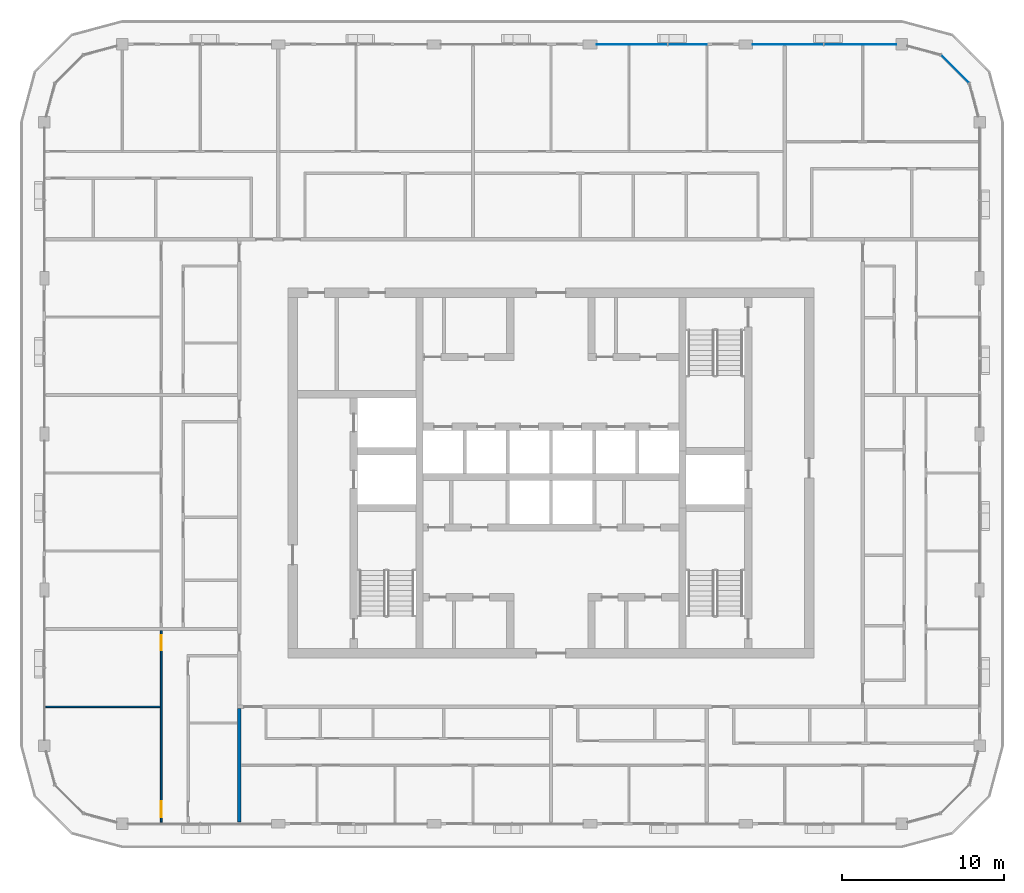
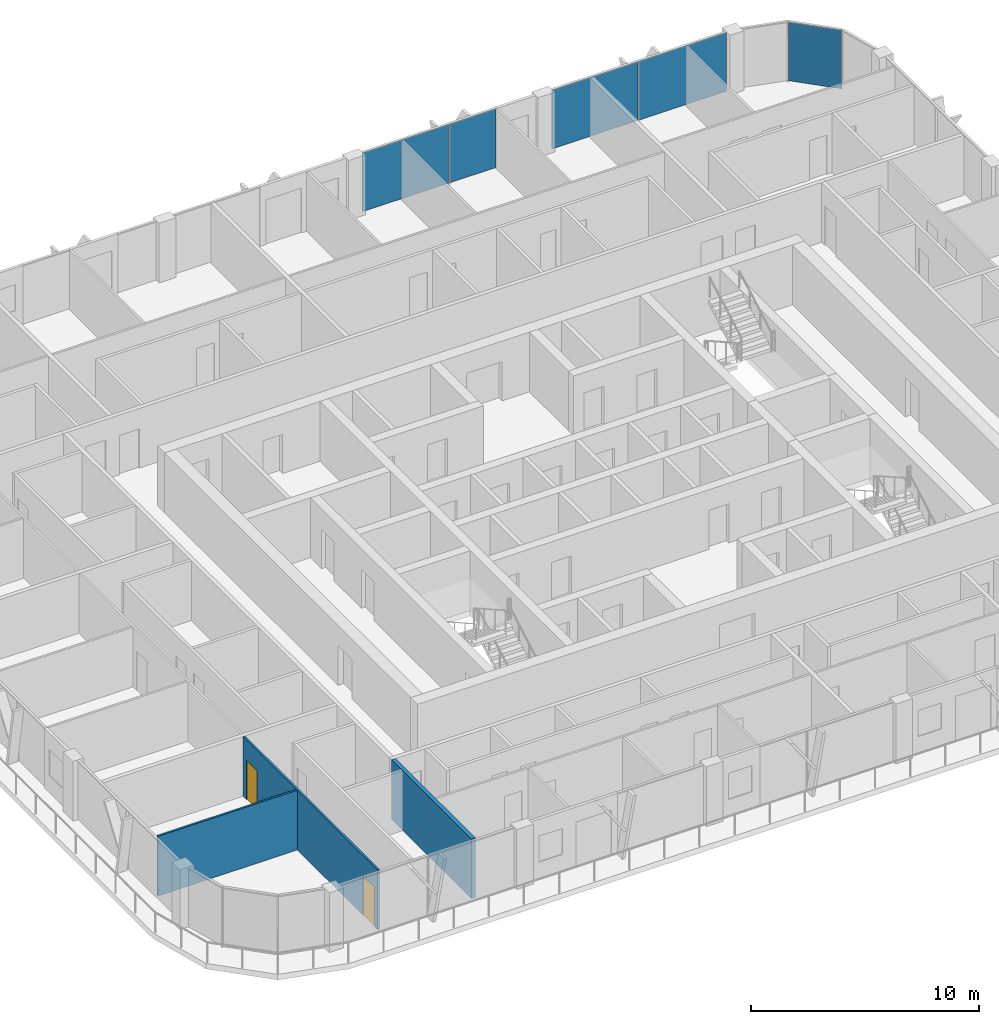
# One storey, part 8 of 21: 5 plates, 3 walls, 2 doors, 2 openings, 3 elements without a shape of their own.
"""IFC4 building model written with IfcOpenShell, lengths in metres."""

import ifcopenshell
import ifcopenshell.guid

model = None  # the IFC model being written
_history = None  # IfcOwnerHistory: only IFC2X3 demands one
_inside = {}  # id of a spatial element -> (the spatial element, [elements in it])
_under = {}  # id of a project, library or spatial element -> (it, [spatial elements below it])
_declared = {}  # id of a project -> (the project, [libraries it declares])
_typed = {}  # id of a type object -> (the type object, [elements of that type])
_made_of = {}  # id of a material, layer set ... -> (it, [elements and type objects made of it])


def new_model(schema):
    """Start an empty IFC model of exactly this schema.

    Asked for "IFC4X3", IfcOpenShell would pick the latest addendum, in which some entities
    have other attributes; the version numbers below select the first issue.
    IFC2X3 requires an IfcOwnerHistory on every rooted entity: one is made here for all.
    """
    global model, _history
    if schema == "IFC4X3":
        model = ifcopenshell.file(schema_version=(4, 3, 0, 0))
    else:
        model = ifcopenshell.file(schema=schema)
    _inside.clear()
    _under.clear()
    _declared.clear()
    _typed.clear()
    _made_of.clear()
    _history = None
    if model.schema == "IFC2X3":
        org = make("IfcOrganization", Name="unknown")
        user = make(
            "IfcPersonAndOrganization",
            ThePerson=make("IfcPerson", FamilyName="unknown"),
            TheOrganization=org,
        )
        app = make(
            "IfcApplication",
            ApplicationDeveloper=org,
            Version="unknown",
            ApplicationFullName="unknown",
            ApplicationIdentifier="unknown",
        )
        _history = make(
            "IfcOwnerHistory",
            OwningUser=user,
            OwningApplication=app,
            ChangeAction="ADDED",
            CreationDate=0,
        )
    return model


def make(cls, **values):
    """One entity of the class cls with the attributes given. An attribute that is None is left unset."""
    return model.create_entity(
        cls, **{name: value for name, value in values.items() if value is not None}
    )


def rooted(cls, **values):
    """An entity with a GlobalId (a new one), such as an element, a storey or a relation."""
    return make(cls, GlobalId=ifcopenshell.guid.new(), OwnerHistory=_history, **values)


def si_unit(unit_type, name, prefix=None):
    """IfcSIUnit, for example si_unit("LENGTHUNIT", "METRE", prefix="MILLI")."""
    return make("IfcSIUnit", UnitType=unit_type, Prefix=prefix, Name=name)


def assignment(units):
    """IfcUnitAssignment: the units of a project."""
    return None if units is None else make("IfcUnitAssignment", Units=units)


def point(xyz):
    """IfcCartesianPoint."""
    return None if xyz is None else make("IfcCartesianPoint", Coordinates=xyz)


def direction(xyz):
    """IfcDirection."""
    return None if xyz is None else make("IfcDirection", DirectionRatios=xyz)


def frame(location, z_axis=None, x_axis=None):
    """IfcAxis2Placement3D, a coordinate frame: its origin and axes. An axis left out is left unset."""
    return make(
        "IfcAxis2Placement3D",
        Location=point(location),
        Axis=direction(z_axis),
        RefDirection=direction(x_axis),
    )


def frame_2d(location, x_axis=None):
    """IfcAxis2Placement2D, a coordinate frame in the plane: its origin and x axis."""
    return make(
        "IfcAxis2Placement2D", Location=point(location), RefDirection=direction(x_axis)
    )


def origin():
    """The frame at (0, 0, 0) with its axes left unset."""
    return frame((0.0, 0.0, 0.0))


def origin_2d():
    """The frame at (0, 0) in the plane with its x axis left unset."""
    return frame_2d((0.0, 0.0))


def place(relative_to, where):
    """IfcLocalPlacement: puts the frame where relative to a parent placement (None: the world)."""
    return make(
        "IfcLocalPlacement", PlacementRelTo=relative_to, RelativePlacement=where
    )


def context(
    kind, dimensions, precision=None, world=None, true_north=None, identifier=None
):
    """IfcGeometricRepresentationContext, for example the 3D "Model" context."""
    return make(
        "IfcGeometricRepresentationContext",
        ContextIdentifier=identifier,
        ContextType=kind,
        CoordinateSpaceDimension=dimensions,
        Precision=precision,
        WorldCoordinateSystem=world,
        TrueNorth=true_north,
    )


def subcontext(parent, identifier, kind, view, scale=None):
    """IfcGeometricRepresentationSubContext, for example "Body" below "Model"."""
    return make(
        "IfcGeometricRepresentationSubContext",
        ContextIdentifier=identifier,
        ContextType=kind,
        ParentContext=parent,
        TargetScale=scale,
        TargetView=view,
    )


def project(units=None, contexts=None):
    """IfcProject with its units and contexts."""
    return rooted(
        "IfcProject",
        Name="project",
        RepresentationContexts=contexts,
        UnitsInContext=assignment(units),
    )


def spatial(cls, under=None, at=None, **own):
    """A site, building, storey or space (cls), placed at a placement, below another one or the project."""
    s = rooted(cls, ObjectPlacement=at, **own)
    if under is not None:
        _under.setdefault(under.id(), (under, []))[1].append(s)
    return s


def profile(cls, at=None, kind="AREA", **sizes):
    """A parametric profile (cls). Its sizes go by their IFC names, for example OverallWidth=200.0."""
    return make(cls, ProfileType=kind, Position=at, **sizes)


def rectangle(**sizes):
    """IfcRectangleProfileDef."""
    return profile("IfcRectangleProfileDef", **sizes)


def extrude(swept, where, along, depth):
    """IfcExtrudedAreaSolid: the profile swept, set in the frame where, extruded along a direction by depth."""
    return make(
        "IfcExtrudedAreaSolid",
        SweptArea=swept,
        Position=where,
        ExtrudedDirection=direction(along),
        Depth=depth,
    )


def shape(context_of_items, identifier, shape_type, items):
    """IfcShapeRepresentation: the items that make up one representation, for example the "Body"."""
    return make(
        "IfcShapeRepresentation",
        ContextOfItems=context_of_items,
        RepresentationIdentifier=identifier,
        RepresentationType=shape_type,
        Items=items,
    )


def material(Name=None, Category=None):
    """IfcMaterial."""
    return make("IfcMaterial", Name=Name, Category=Category)


def layer(
    of_material, thickness, ventilated=None, Name=None, Category=None, Priority=None
):
    """IfcMaterialLayer: one layer of a wall or slab, of a material (None: an air gap)."""
    return make(
        "IfcMaterialLayer",
        Material=of_material,
        LayerThickness=thickness,
        IsVentilated=ventilated,
        Name=Name,
        Category=Category,
        Priority=Priority,
    )


def layer_set(layers, Name=None):
    """IfcMaterialLayerSet."""
    return make("IfcMaterialLayerSet", MaterialLayers=layers, LayerSetName=Name)


def made_of(thing, what):
    """Note that an element or type object is made of a material, layer set ...; save() writes the relation."""
    if what is not None:
        _made_of.setdefault(what.id(), (what, []))[1].append(thing)
    return thing


def type_object(cls, material=None, **own):
    """A type object (cls), such as IfcWallType, which elements share."""
    return made_of(rooted(cls, **own), material)


def element(
    cls,
    number,
    at=None,
    inside=None,
    cuts=None,
    type_object=None,
    material=None,
    context=None,
    identifier="Body",
    shape_type=None,
    held_by="IfcProductDefinitionShape",
    body=None,
    shapes=None,
    **own,
):
    """One element of the class cls, such as IfcWall. Its Tag is "e" and its number.

    at: its placement. inside: the storey or other place that contains it. cuts: it is an
    opening in that element (IfcRelVoidsElement). A single representation is given by context,
    identifier, shape_type and body (its items); several are given by shapes. held_by: the class
    of the entity that holds the representations. save() writes the other relations.
    """
    e = rooted(cls, Tag="e%d" % number, ObjectPlacement=at, **own)
    if body is not None:
        shapes = [shape(context, identifier, shape_type, body)]
    if shapes is not None:
        e.Representation = make(held_by, Representations=shapes)
    if inside is not None:
        _inside.setdefault(inside.id(), (inside, []))[1].append(e)
    if cuts is not None:
        rooted(
            "IfcRelVoidsElement", RelatingBuildingElement=cuts, RelatedOpeningElement=e
        )
    if type_object is not None:
        _typed.setdefault(type_object.id(), (type_object, []))[1].append(e)
    return made_of(e, material)


def fill(opening, filler):
    """IfcRelFillsElement: the door or window that sits in an opening."""
    return rooted(
        "IfcRelFillsElement",
        RelatingOpeningElement=opening,
        RelatedBuildingElement=filler,
    )


def aggregate(whole, parts):
    """IfcRelAggregates: a whole, such as a stair, and the parts it consists of."""
    return rooted("IfcRelAggregates", RelatingObject=whole, RelatedObjects=parts)


def save(model, path):
    """Write the relations noted so far, then the file.

    IfcRelAggregates (storeys below a building ...), IfcRelContainedInSpatialStructure (elements
    in a storey), IfcRelDefinesByType, IfcRelAssociatesMaterial and IfcRelDeclares: one each for
    every whole, place, type object, material and project.
    """
    for whole, parts in _under.values():
        aggregate(whole, parts)
    for where, things in _inside.values():
        rooted(
            "IfcRelContainedInSpatialStructure",
            RelatedElements=things,
            RelatingStructure=where,
        )
    for kind, things in _typed.values():
        rooted("IfcRelDefinesByType", RelatedObjects=things, RelatingType=kind)
    for what, things in _made_of.values():
        rooted("IfcRelAssociatesMaterial", RelatedObjects=things, RelatingMaterial=what)
    for by, libraries in _declared.values():
        rooted("IfcRelDeclares", RelatingContext=by, RelatedDefinitions=libraries)
    model.write(path)


model = new_model("IFC4")

# Units and contexts
model_context = context("Model", 3, precision=1e-05, world=origin(), true_north=direction((0.0, 1.0)))
body_context = subcontext(model_context, "Body", "Model", "MODEL_VIEW")
ifc_project = project(units=[si_unit("LENGTHUNIT", "METRE"), si_unit("AREAUNIT", "SQUARE_METRE"), si_unit("VOLUMEUNIT", "CUBIC_METRE"), si_unit("PLANEANGLEUNIT", "RADIAN"), si_unit("MASSUNIT", "GRAM", prefix="KILO")], contexts=[model_context])

# Site, building, storey
site_placement = place(None, origin())
site = spatial("IfcSite", under=ifc_project, at=site_placement, CompositionType="ELEMENT")
building_placement = place(site_placement, origin())
building = spatial("IfcBuilding", under=site, at=building_placement, Name="Madar Terraces", CompositionType="ELEMENT")
storey_placement = place(building_placement, frame((0.0, 0.0, 245.699951171875)))
storey = spatial("IfcBuildingStorey", under=building, at=storey_placement, Name="L64", CompositionType="ELEMENT", Elevation=245.699951171875)

# Curtain wall, plates
ifc_material_1 = material(Name="Glass, ceramic frit dark grey, with black aluminium frame", Category="aluminium")
ifc_layer_1 = layer(ifc_material_1, 0.199951171875)
ifc_layer_set_1 = layer_set([ifc_layer_1], Name="Facade curtain wall, fritted glass")
curtain_wall_type = type_object("IfcCurtainWallType", Name="Facade curtain wall, fritted glass", PredefinedType="NOTDEFINED", material=ifc_layer_set_1)
curtain_wall_1_placement = place(storey_placement, origin())
curtain_wall_1 = element("IfcCurtainWall", 1, at=curtain_wall_1_placement, inside=storey, type_object=curtain_wall_type, Name="Outer skin curtain wall north bay 1", PredefinedType="NOTDEFINED")
ifc_material_2 = material(Name="Glass, ceramic frit dark grey", Category="glass")
ifc_layer_2 = layer(ifc_material_2, 0.028076171875)
ifc_layer_set_2 = layer_set([ifc_layer_2], Name="Facade glass panel 28")
plate_type = type_object("IfcPlateType", Name="Facade glass panel 28", PredefinedType="CURTAIN_PANEL", material=ifc_layer_set_2)
plate_1_placement = place(storey_placement, frame((50.239990234375, 52.800048828125, 0.0), z_axis=(0.0, 0.0, 1.0), x_axis=(-1.0, 0.0, 0.0)))
plate_1 = element("IfcPlate", 2, at=plate_1_placement, type_object=plate_type, Name="Panel 1", PredefinedType="CURTAIN_PANEL", context=body_context, shape_type="SweptSolid", body=[
    extrude(rectangle(XDim=4.419921875, YDim=0.028076171875, at=origin_2d()), origin(), (0.0, 0.0, 1.0), 3.139892578125),
])
plate_2_placement = place(storey_placement, frame((45.797607421875, 52.800048828125, 0.0), z_axis=(0.0, 0.0, 1.0), x_axis=(-1.0, 0.0, 0.0)))
plate_2 = element("IfcPlate", 3, at=plate_2_placement, type_object=plate_type, Name="Panel 2", PredefinedType="CURTAIN_PANEL", context=body_context, shape_type="SweptSolid", body=[
    extrude(rectangle(XDim=4.344970703125, YDim=0.028076171875, at=origin_2d()), origin(), (0.0, 0.0, 1.0), 3.139892578125),
])
aggregate(curtain_wall_1, [plate_1, plate_2])

curtain_wall_2_placement = place(storey_placement, origin())
curtain_wall_2 = element("IfcCurtainWall", 4, at=curtain_wall_2_placement, inside=storey, type_object=curtain_wall_type, Name="Outer skin curtain wall north bay 2", PredefinedType="NOTDEFINED")
plate_3_placement = place(storey_placement, frame((39.614990234375, 52.800048828125, 0.0), z_axis=(0.0, 0.0, 1.0), x_axis=(-1.0, 0.0, 0.0)))
plate_3 = element("IfcPlate", 5, at=plate_3_placement, type_object=plate_type, Name="Panel 1", PredefinedType="CURTAIN_PANEL", context=body_context, shape_type="SweptSolid", body=[
    extrude(rectangle(XDim=2.3701171875, YDim=0.028076171875, at=origin_2d()), origin(), (0.0, 0.0, 1.0), 3.139892578125),
])
plate_4_placement = place(storey_placement, frame((36.197509765625, 52.800048828125, 0.0), z_axis=(0.0, 0.0, 1.0), x_axis=(-1.0, 0.0, 0.0)))
plate_4 = element("IfcPlate", 6, at=plate_4_placement, type_object=plate_type, Name="Panel 2", PredefinedType="CURTAIN_PANEL", context=body_context, shape_type="SweptSolid", body=[
    extrude(rectangle(XDim=4.344970703125, YDim=0.028076171875, at=origin_2d()), origin(), (0.0, 0.0, 1.0), 3.139892578125),
])
aggregate(curtain_wall_2, [plate_3, plate_4])

# Curtain wall, plate
curtain_wall_3_placement = place(storey_placement, origin())
curtain_wall_3 = element("IfcCurtainWall", 7, at=curtain_wall_3_placement, inside=storey, type_object=curtain_wall_type, Name="Outer skin curtain wall north-east corner", PredefinedType="NOTDEFINED")
plate_5_placement = place(storey_placement, frame((56.078369140625, 51.278564453125, 0.0), z_axis=(0.0, 0.0, 1.0), x_axis=(-0.707106781187, 0.707106781187, 0.0)))
plate_5 = element("IfcPlate", 8, at=plate_5_placement, type_object=plate_type, Name="Panel 2", PredefinedType="CURTAIN_PANEL", context=body_context, shape_type="SweptSolid", body=[
    extrude(rectangle(XDim=2.424560546875, YDim=0.028076171875, at=origin_2d()), origin(), (0.0, 0.0, 1.0), 3.139892578125),
])
aggregate(curtain_wall_3, [plate_5])

# Wall
ifc_material_3 = material(Name="Gypsum board on steel studs", Category="steel")
ifc_layer_3 = layer(ifc_material_3, 0.10009765625)
ifc_layer_set_3 = layer_set([ifc_layer_3], Name="Flat partition 100")
wall_type_1 = type_object("IfcWallType", Name="Flat partition 100", PredefinedType="PARTITIONING", material=ifc_layer_set_3)
wall_1_placement = place(storey_placement, frame((7.14990234375, 12.0, 0.0), z_axis=(0.0, 0.0, 1.0), x_axis=(-1.0, 0.0, 0.0)))
element("IfcWall", 9, at=wall_1_placement, inside=storey, type_object=wall_type_1, Name="Flat partition 100", PredefinedType="PARTITIONING", context=body_context, shape_type="SweptSolid", body=[
    extrude(rectangle(XDim=7.0498046875, YDim=0.10009765625, at=frame_2d((3.52490234375, 0.0))), origin(), (0.0, 0.0, 1.0), 3.199951171875),
])

# Wall, openings, doors
wall_2_placement = place(storey_placement, frame((7.199951171875, 4.89990234375, 0.0), z_axis=(0.0, 0.0, 1.0), x_axis=(0.0, 1.0, 0.0)))
wall_2 = element("IfcWall", 10, at=wall_2_placement, inside=storey, type_object=wall_type_1, Name="Flat partition 100", PredefinedType="PARTITIONING", context=body_context, shape_type="SweptSolid", body=[
    extrude(rectangle(XDim=11.800048828125, YDim=0.10009765625, at=frame_2d((5.89990234375, 0.0))), origin(), (0.0, 0.0, 1.0), 3.199951171875),
])
opening_1_placement = place(wall_2_placement, frame((10.60009765625, 0.0, 0.0)))
opening_1 = element("IfcOpeningElement", 11, at=opening_1_placement, cuts=wall_2, Name="Opening D2", PredefinedType="OPENING", context=body_context, shape_type="SweptSolid", body=[
    extrude(rectangle(XDim=0.89990234375, YDim=2.10009765625, at=frame_2d((0.449951171875, 1.050048828125))), frame((0.0, 0.06005859375, 0.0), z_axis=(0.0, -1.0, 0.0), x_axis=(1.0, 0.0, 0.0)), (0.0, 0.0, 1.0), 0.1201171875),
])
opening_2_placement = place(wall_2_placement, frame((0.300048828125, 0.0, 0.0)))
opening_2 = element("IfcOpeningElement", 12, at=opening_2_placement, cuts=wall_2, Name="Opening D3", PredefinedType="OPENING", context=body_context, shape_type="SweptSolid", body=[
    extrude(rectangle(XDim=1.0, YDim=2.10009765625, at=frame_2d((0.5, 1.050048828125))), frame((0.0, 0.06005859375, 0.0), z_axis=(0.0, -1.0, 0.0), x_axis=(1.0, 0.0, 0.0)), (0.0, 0.0, 1.0), 0.1201171875),
])
ifc_material_4 = material(Name="Timber door leaf", Category="wood")
door_type_1 = type_object("IfcDoorType", Name="Flat living room door 1000", OperationType="NOTDEFINED", PredefinedType="DOOR", material=ifc_material_4)
door_1_placement = place(opening_2_placement, origin())
door_1 = element("IfcDoor", 13, at=door_1_placement, inside=storey, type_object=door_type_1, Name="Flat living room door 1000", OperationType="SINGLE_SWING_LEFT", OverallHeight=2.10009765625, OverallWidth=1.0, PredefinedType="DOOR", context=body_context, shape_type="SweptSolid", body=[
    extrude(rectangle(XDim=1.0, YDim=2.10009765625, at=frame_2d((0.5, 1.050048828125))), frame((0.0, 0.02490234375, 0.0), z_axis=(0.0, -1.0, 0.0), x_axis=(1.0, 0.0, 0.0)), (0.0, 0.0, 1.0), 0.050048828125),
])
fill(opening_2, door_1)
ifc_material_5 = material(Name="Timber door leaf", Category="wood")
door_type_2 = type_object("IfcDoorType", Name="Flat room door 900", OperationType="NOTDEFINED", PredefinedType="DOOR", material=ifc_material_5)
door_2_placement = place(opening_1_placement, origin())
door_2 = element("IfcDoor", 14, at=door_2_placement, inside=storey, type_object=door_type_2, Name="Flat room door 900", OperationType="SINGLE_SWING_RIGHT", OverallHeight=2.10009765625, OverallWidth=0.89990234375, PredefinedType="DOOR", context=body_context, shape_type="SweptSolid", body=[
    extrude(rectangle(XDim=0.89990234375, YDim=2.10009765625, at=frame_2d((0.449951171875, 1.050048828125))), frame((0.0, 0.02490234375, 0.0), z_axis=(0.0, -1.0, 0.0), x_axis=(1.0, 0.0, 0.0)), (0.0, 0.0, 1.0), 0.050048828125),
])
fill(opening_1, door_2)

# Wall
ifc_material_6 = material(Name="Lightweight blockwork", Category="masonry")
ifc_layer_4 = layer(ifc_material_6, 0.199951171875)
ifc_layer_set_4 = layer_set([ifc_layer_4], Name="Flat party and entrance wall 200")
wall_type_2 = type_object("IfcWallType", Name="Flat party and entrance wall 200", PredefinedType="PARTITIONING", material=ifc_layer_set_4)
wall_3_placement = place(storey_placement, frame((12.0, 4.89990234375, 0.0), z_axis=(0.0, 0.0, 1.0), x_axis=(0.0, 1.0, 0.0)))
element("IfcWall", 15, at=wall_3_placement, inside=storey, type_object=wall_type_2, Name="Flat party and entrance wall 200", PredefinedType="PARTITIONING", context=body_context, shape_type="SweptSolid", body=[
    extrude(rectangle(XDim=7.0, YDim=0.199951171875, at=frame_2d((3.5, 0.0))), origin(), (0.0, 0.0, 1.0), 3.199951171875),
])

save(model, "model.ifc")
